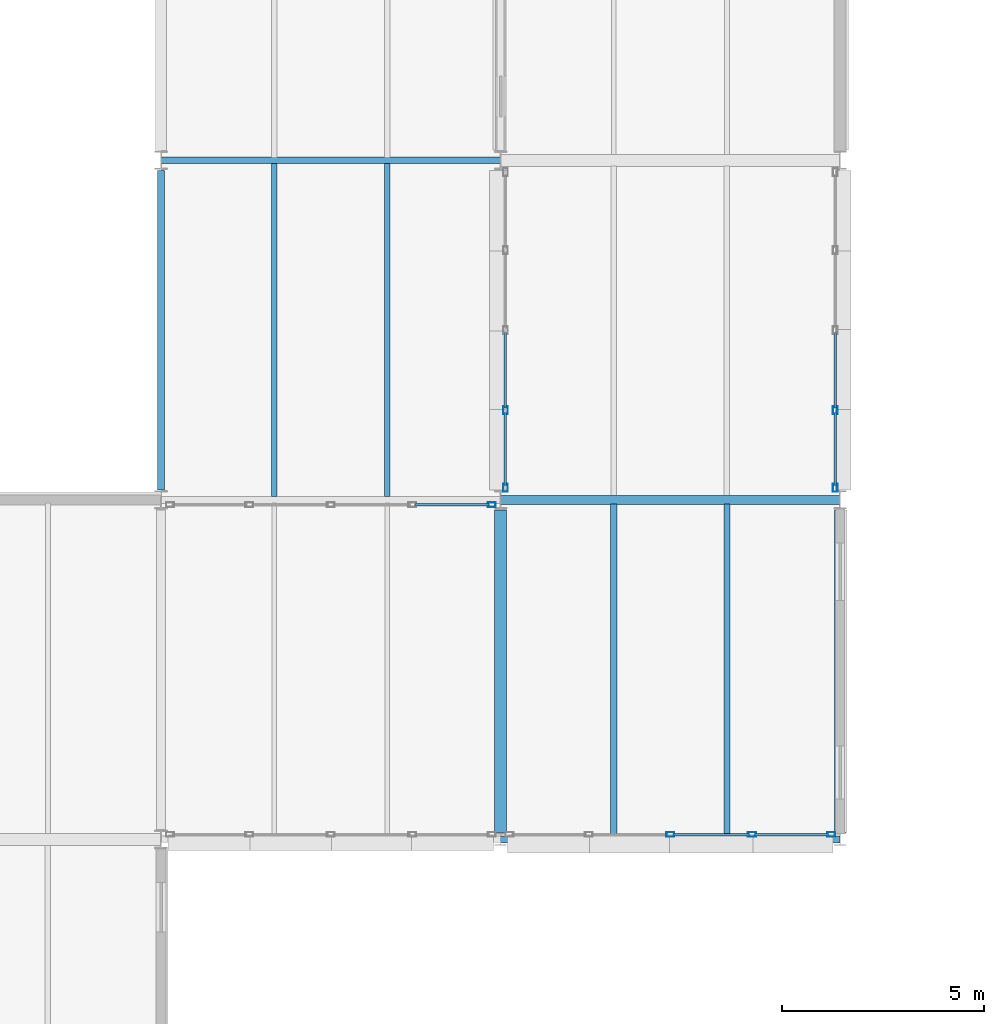
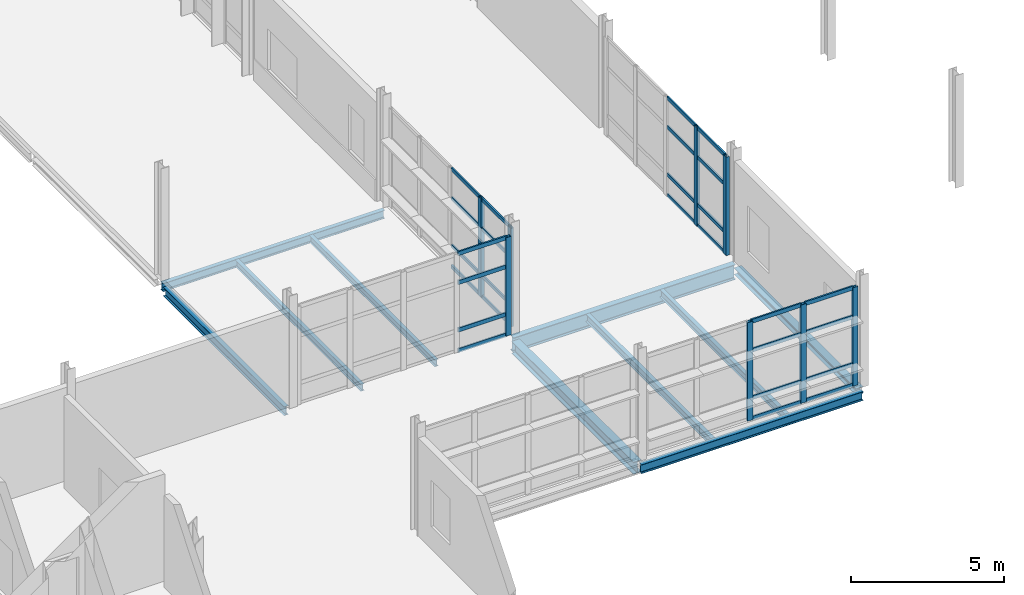
# One storey, part 38 of 129: 36 members, 10 beams, 4 elements without a shape of their own.
"""IFC4 building model written with IfcOpenShell, lengths in metres."""

from ifc_helpers import new_model, si_unit, direction, frame, origin, origin_2d, place, context, subcontext, project, spatial, hollow_rectangle, i_section, extrude, material, material_profile, profile_set, type_object, element, aggregate, save


model = new_model("IFC4")

# Units and contexts
model_context = context("Model", 3, precision=1e-05, world=origin(), true_north=direction((0.0, 1.0)))
body_context = subcontext(model_context, "Body", "Model", "MODEL_VIEW")
ifc_project = project(units=[si_unit("LENGTHUNIT", "METRE"), si_unit("AREAUNIT", "SQUARE_METRE"), si_unit("VOLUMEUNIT", "CUBIC_METRE"), si_unit("PLANEANGLEUNIT", "RADIAN"), si_unit("MASSUNIT", "GRAM", prefix="KILO")], contexts=[model_context])

# Site, building, storey
site_placement = place(None, origin())
site = spatial("IfcSite", under=ifc_project, at=site_placement, CompositionType="ELEMENT")
building_placement = place(site_placement, origin())
building = spatial("IfcBuilding", under=site, at=building_placement, Name="Mersafa Astral City Hall", CompositionType="ELEMENT")
storey_placement = place(building_placement, frame((0.0, 0.0, 5.39990234375)))
storey = spatial("IfcBuildingStorey", under=building, at=storey_placement, Name="L01", CompositionType="ELEMENT", Elevation=5.39990234375)

# Curtain wall, members
ifc_material_1 = material(Name="Anodised bronze aluminium framing", Category="aluminium")
curtain_wall_type_1 = type_object("IfcCurtainWallType", Name="ENV-CW-4", PredefinedType="USERDEFINED", material=ifc_material_1)
curtain_wall_1_placement = place(storey_placement, origin())
curtain_wall_1 = element("IfcCurtainWall", 1, at=curtain_wall_1_placement, inside=storey, type_object=curtain_wall_type_1, Name="L01 Unitised solar curtain wall 81", ObjectType="UNITISED CURTAIN WALL", PredefinedType="USERDEFINED")
ifc_material_profile_1 = material_profile(ifc_material_1, hollow_rectangle(XDim=0.1201171875, YDim=0.199951171875, WallThickness=0.008056640625, at=origin_2d()), Name="RHS 120x200x8")
ifc_profile_set_1 = profile_set([ifc_material_profile_1], Name="Anodised bronze aluminium framing")
member_type_1 = type_object("IfcMemberType", Name="ENV-CW-MUL-2", PredefinedType="MULLION", material=ifc_profile_set_1)
member_1_placement = place(storey_placement, frame((33.719970703125, 94.618408203125, -0.001953125), z_axis=(0.0, 0.0, 1.0), x_axis=(1.0, 0.0, 0.0)))
member_1 = element("IfcMember", 2, at=member_1_placement, type_object=member_type_1, Name="CW-4 mullion 4", PredefinedType="MULLION", context=body_context, shape_type="SweptSolid", body=[
    extrude(hollow_rectangle(XDim=0.1201171875, YDim=0.199951171875, WallThickness=0.008056640625, at=origin_2d()), origin(), (0.0, 0.0, 1.0), 3.948974609375),
])
member_2_placement = place(storey_placement, frame((33.719970703125, 92.697021484375, -0.001953125), z_axis=(0.0, 0.0, 1.0), x_axis=(1.0, 0.0, 0.0)))
member_2 = element("IfcMember", 3, at=member_2_placement, type_object=member_type_1, Name="CW-4 mullion 5", PredefinedType="MULLION", context=body_context, shape_type="SweptSolid", body=[
    extrude(hollow_rectangle(XDim=0.1201171875, YDim=0.199951171875, WallThickness=0.008056640625, at=origin_2d()), origin(), (0.0, 0.0, 1.0), 3.948974609375),
])

# Curtain wall, member
curtain_wall_type_2 = type_object("IfcCurtainWallType", Name="ENV-CW-5", PredefinedType="USERDEFINED", material=ifc_material_1)
curtain_wall_2_placement = place(storey_placement, origin())
curtain_wall_2 = element("IfcCurtainWall", 4, at=curtain_wall_2_placement, inside=storey, type_object=curtain_wall_type_2, Name="L01 Unitised solar curtain wall 82", ObjectType="UNITISED CURTAIN WALL", PredefinedType="USERDEFINED")
member_3_placement = place(storey_placement, frame((33.3779296875, 92.280029296875, -0.001953125), z_axis=(0.0, 0.0, 1.0), x_axis=(0.0, -1.0, 0.0)))
member_3 = element("IfcMember", 5, at=member_3_placement, type_object=member_type_1, Name="CW-5 mullion 1", PredefinedType="MULLION", context=body_context, shape_type="SweptSolid", body=[
    extrude(hollow_rectangle(XDim=0.1201171875, YDim=0.199951171875, WallThickness=0.008056640625, at=origin_2d()), origin(), (0.0, 0.0, 1.0), 3.93896484375),
])

# Curtain wall, members
curtain_wall_type_3 = type_object("IfcCurtainWallType", Name="ENV-CW-1", PredefinedType="USERDEFINED", material=ifc_material_1)
curtain_wall_3_placement = place(storey_placement, origin())
curtain_wall_3 = element("IfcCurtainWall", 6, at=curtain_wall_3_placement, inside=storey, type_object=curtain_wall_type_3, Name="L01 Unitised solar curtain wall 84", ObjectType="UNITISED CURTAIN WALL", PredefinedType="USERDEFINED")
member_4_placement = place(storey_placement, frame((37.800048828125, 84.1201171875, -0.001953125), z_axis=(0.0, 0.0, 1.0), x_axis=(0.0, 1.0, 0.0)))
member_4 = element("IfcMember", 7, at=member_4_placement, type_object=member_type_1, Name="CW-1 mullion 3", PredefinedType="MULLION", context=body_context, shape_type="SweptSolid", body=[
    extrude(hollow_rectangle(XDim=0.1201171875, YDim=0.199951171875, WallThickness=0.008056640625, at=origin_2d()), origin(), (0.0, 0.0, 1.0), 3.93896484375),
])
member_5_placement = place(storey_placement, frame((39.819091796875, 84.1201171875, -0.001953125), z_axis=(0.0, 0.0, 1.0), x_axis=(0.0, 1.0, 0.0)))
member_5 = element("IfcMember", 8, at=member_5_placement, type_object=member_type_1, Name="CW-1 mullion 4", PredefinedType="MULLION", context=body_context, shape_type="SweptSolid", body=[
    extrude(hollow_rectangle(XDim=0.1201171875, YDim=0.199951171875, WallThickness=0.008056640625, at=origin_2d()), origin(), (0.0, 0.0, 1.0), 3.93896484375),
])
member_6_placement = place(storey_placement, frame((41.778076171875, 84.1201171875, -0.001953125), z_axis=(0.0, 0.0, 1.0), x_axis=(0.0, 1.0, 0.0)))
member_6 = element("IfcMember", 9, at=member_6_placement, type_object=member_type_1, Name="CW-1 mullion 5", PredefinedType="MULLION", context=body_context, shape_type="SweptSolid", body=[
    extrude(hollow_rectangle(XDim=0.1201171875, YDim=0.199951171875, WallThickness=0.008056640625, at=origin_2d()), origin(), (0.0, 0.0, 1.0), 3.93896484375),
])

curtain_wall_type_4 = type_object("IfcCurtainWallType", Name="ENV-CW-2", PredefinedType="USERDEFINED", material=ifc_material_1)
curtain_wall_4_placement = place(storey_placement, origin())
curtain_wall_4 = element("IfcCurtainWall", 10, at=curtain_wall_4_placement, inside=storey, type_object=curtain_wall_type_4, Name="L01 Unitised solar curtain wall 85", ObjectType="UNITISED CURTAIN WALL", PredefinedType="USERDEFINED")
member_7_placement = place(storey_placement, frame((41.8798828125, 92.697021484375, -0.001953125), z_axis=(0.0, 0.0, 1.0), x_axis=(-1.0, 0.0, 0.0)))
member_7 = element("IfcMember", 11, at=member_7_placement, type_object=member_type_1, Name="CW-2 mullion 1", PredefinedType="MULLION", context=body_context, shape_type="SweptSolid", body=[
    extrude(hollow_rectangle(XDim=0.1201171875, YDim=0.199951171875, WallThickness=0.008056640625, at=origin_2d()), origin(), (0.0, 0.0, 1.0), 3.93896484375),
])
member_8_placement = place(storey_placement, frame((41.8798828125, 94.618408203125, -0.001953125), z_axis=(0.0, 0.0, 1.0), x_axis=(-1.0, 0.0, 0.0)))
member_8 = element("IfcMember", 12, at=member_8_placement, type_object=member_type_1, Name="CW-2 mullion 2", PredefinedType="MULLION", context=body_context, shape_type="SweptSolid", body=[
    extrude(hollow_rectangle(XDim=0.1201171875, YDim=0.199951171875, WallThickness=0.008056640625, at=origin_2d()), origin(), (0.0, 0.0, 1.0), 3.93896484375),
])

# Member
ifc_material_profile_2 = material_profile(ifc_material_1, hollow_rectangle(XDim=0.06005859375, YDim=0.139892578125, WallThickness=0.00390625, at=origin_2d()), Name="RHS 60x140x4")
ifc_profile_set_2 = profile_set([ifc_material_profile_2], Name="Anodised bronze aluminium framing")
member_type_2 = type_object("IfcMemberType", Name="ENV-CW-TRN-1", PredefinedType="USERDEFINED", material=ifc_profile_set_2)
member_9_placement = place(storey_placement, frame((33.719970703125, 96.5400390625, 0.028076171875), z_axis=(0.0, -1.0, 0.0), x_axis=(1.0, 0.0, 0.0)))
member_9 = element("IfcMember", 13, at=member_9_placement, type_object=member_type_2, Name="CW-4 transom 3.1", ObjectType="TRANSOM", PredefinedType="USERDEFINED", context=body_context, shape_type="SweptSolid", body=[
    extrude(hollow_rectangle(XDim=0.06005859375, YDim=0.139892578125, WallThickness=0.00390625, at=origin_2d()), origin(), (0.0, 0.0, 1.0), 1.861572265625),
])

member_10_placement = place(storey_placement, frame((33.719970703125, 96.5400390625, 0.85009765625), z_axis=(0.0, -1.0, 0.0), x_axis=(1.0, 0.0, 0.0)))
member_10 = element("IfcMember", 14, at=member_10_placement, type_object=member_type_2, Name="CW-4 transom 3.2", ObjectType="TRANSOM", PredefinedType="USERDEFINED", context=body_context, shape_type="SweptSolid", body=[
    extrude(hollow_rectangle(XDim=0.06005859375, YDim=0.139892578125, WallThickness=0.00390625, at=origin_2d()), origin(), (0.0, 0.0, 1.0), 1.861572265625),
])

member_11_placement = place(storey_placement, frame((33.719970703125, 96.5400390625, 2.75), z_axis=(0.0, -1.0, 0.0), x_axis=(1.0, 0.0, 0.0)))
member_11 = element("IfcMember", 15, at=member_11_placement, type_object=member_type_2, Name="CW-4 transom 3.3", ObjectType="TRANSOM", PredefinedType="USERDEFINED", context=body_context, shape_type="SweptSolid", body=[
    extrude(hollow_rectangle(XDim=0.06005859375, YDim=0.139892578125, WallThickness=0.00390625, at=origin_2d()), origin(), (0.0, 0.0, 1.0), 1.861572265625),
])

member_12_placement = place(storey_placement, frame((33.719970703125, 96.5400390625, 3.9169921875), z_axis=(0.0, -1.0, 0.0), x_axis=(1.0, 0.0, 0.0)))
member_12 = element("IfcMember", 16, at=member_12_placement, type_object=member_type_2, Name="CW-4 transom 3.4", ObjectType="TRANSOM", PredefinedType="USERDEFINED", context=body_context, shape_type="SweptSolid", body=[
    extrude(hollow_rectangle(XDim=0.06005859375, YDim=0.139892578125, WallThickness=0.00390625, at=origin_2d()), origin(), (0.0, 0.0, 1.0), 1.861572265625),
])

member_13_placement = place(storey_placement, frame((33.719970703125, 94.55859375, 0.028076171875), z_axis=(0.0, -1.0, 0.0), x_axis=(1.0, 0.0, 0.0)))
member_13 = element("IfcMember", 17, at=member_13_placement, type_object=member_type_2, Name="CW-4 transom 4.1", ObjectType="TRANSOM", PredefinedType="USERDEFINED", context=body_context, shape_type="SweptSolid", body=[
    extrude(hollow_rectangle(XDim=0.06005859375, YDim=0.139892578125, WallThickness=0.00390625, at=origin_2d()), origin(), (0.0, 0.0, 1.0), 1.801513671875),
])

member_14_placement = place(storey_placement, frame((33.719970703125, 94.55859375, 0.85009765625), z_axis=(0.0, -1.0, 0.0), x_axis=(1.0, 0.0, 0.0)))
member_14 = element("IfcMember", 18, at=member_14_placement, type_object=member_type_2, Name="CW-4 transom 4.2", ObjectType="TRANSOM", PredefinedType="USERDEFINED", context=body_context, shape_type="SweptSolid", body=[
    extrude(hollow_rectangle(XDim=0.06005859375, YDim=0.139892578125, WallThickness=0.00390625, at=origin_2d()), origin(), (0.0, 0.0, 1.0), 1.801513671875),
])

member_15_placement = place(storey_placement, frame((33.719970703125, 94.55859375, 2.75), z_axis=(0.0, -1.0, 0.0), x_axis=(1.0, 0.0, 0.0)))
member_15 = element("IfcMember", 19, at=member_15_placement, type_object=member_type_2, Name="CW-4 transom 4.3", ObjectType="TRANSOM", PredefinedType="USERDEFINED", context=body_context, shape_type="SweptSolid", body=[
    extrude(hollow_rectangle(XDim=0.06005859375, YDim=0.139892578125, WallThickness=0.00390625, at=origin_2d()), origin(), (0.0, 0.0, 1.0), 1.801513671875),
])

member_16_placement = place(storey_placement, frame((33.719970703125, 94.55859375, 3.9169921875), z_axis=(0.0, -1.0, 0.0), x_axis=(1.0, 0.0, 0.0)))
member_16 = element("IfcMember", 20, at=member_16_placement, type_object=member_type_2, Name="CW-4 transom 4.4", ObjectType="TRANSOM", PredefinedType="USERDEFINED", context=body_context, shape_type="SweptSolid", body=[
    extrude(hollow_rectangle(XDim=0.06005859375, YDim=0.139892578125, WallThickness=0.00390625, at=origin_2d()), origin(), (0.0, 0.0, 1.0), 1.801513671875),
])

aggregate(curtain_wall_1, [member_1, member_2, member_9, member_10, member_11, member_12, member_13, member_14, member_15, member_16])

member_17_placement = place(storey_placement, frame((41.8798828125, 92.757080078125, 0.028076171875), z_axis=(0.0, 1.0, 0.0), x_axis=(-1.0, 0.0, 0.0)))
member_17 = element("IfcMember", 21, at=member_17_placement, type_object=member_type_2, Name="CW-2 transom 1.1", ObjectType="TRANSOM", PredefinedType="USERDEFINED", context=body_context, shape_type="SweptSolid", body=[
    extrude(hollow_rectangle(XDim=0.06005859375, YDim=0.139892578125, WallThickness=0.00390625, at=origin_2d()), origin(), (0.0, 0.0, 1.0), 1.801513671875),
])

member_18_placement = place(storey_placement, frame((41.8798828125, 92.757080078125, 0.85009765625), z_axis=(0.0, 1.0, 0.0), x_axis=(-1.0, 0.0, 0.0)))
member_18 = element("IfcMember", 22, at=member_18_placement, type_object=member_type_2, Name="CW-2 transom 1.2", ObjectType="TRANSOM", PredefinedType="USERDEFINED", context=body_context, shape_type="SweptSolid", body=[
    extrude(hollow_rectangle(XDim=0.06005859375, YDim=0.139892578125, WallThickness=0.00390625, at=origin_2d()), origin(), (0.0, 0.0, 1.0), 1.801513671875),
])

member_19_placement = place(storey_placement, frame((41.8798828125, 92.757080078125, 2.75), z_axis=(0.0, 1.0, 0.0), x_axis=(-1.0, 0.0, 0.0)))
member_19 = element("IfcMember", 23, at=member_19_placement, type_object=member_type_2, Name="CW-2 transom 1.3", ObjectType="TRANSOM", PredefinedType="USERDEFINED", context=body_context, shape_type="SweptSolid", body=[
    extrude(hollow_rectangle(XDim=0.06005859375, YDim=0.139892578125, WallThickness=0.00390625, at=origin_2d()), origin(), (0.0, 0.0, 1.0), 1.801513671875),
])

member_20_placement = place(storey_placement, frame((41.8798828125, 92.757080078125, 3.906982421875), z_axis=(0.0, 1.0, 0.0), x_axis=(-1.0, 0.0, 0.0)))
member_20 = element("IfcMember", 24, at=member_20_placement, type_object=member_type_2, Name="CW-2 transom 1.4", ObjectType="TRANSOM", PredefinedType="USERDEFINED", context=body_context, shape_type="SweptSolid", body=[
    extrude(hollow_rectangle(XDim=0.06005859375, YDim=0.139892578125, WallThickness=0.00390625, at=origin_2d()), origin(), (0.0, 0.0, 1.0), 1.801513671875),
])

member_21_placement = place(storey_placement, frame((41.8798828125, 94.678466796875, 0.028076171875), z_axis=(0.0, 1.0, 0.0), x_axis=(-1.0, 0.0, 0.0)))
member_21 = element("IfcMember", 25, at=member_21_placement, type_object=member_type_2, Name="CW-2 transom 2.1", ObjectType="TRANSOM", PredefinedType="USERDEFINED", context=body_context, shape_type="SweptSolid", body=[
    extrude(hollow_rectangle(XDim=0.06005859375, YDim=0.139892578125, WallThickness=0.00390625, at=origin_2d()), origin(), (0.0, 0.0, 1.0), 1.861572265625),
])

member_22_placement = place(storey_placement, frame((41.8798828125, 94.678466796875, 0.85009765625), z_axis=(0.0, 1.0, 0.0), x_axis=(-1.0, 0.0, 0.0)))
member_22 = element("IfcMember", 26, at=member_22_placement, type_object=member_type_2, Name="CW-2 transom 2.2", ObjectType="TRANSOM", PredefinedType="USERDEFINED", context=body_context, shape_type="SweptSolid", body=[
    extrude(hollow_rectangle(XDim=0.06005859375, YDim=0.139892578125, WallThickness=0.00390625, at=origin_2d()), origin(), (0.0, 0.0, 1.0), 1.861572265625),
])

member_23_placement = place(storey_placement, frame((41.8798828125, 94.678466796875, 2.75), z_axis=(0.0, 1.0, 0.0), x_axis=(-1.0, 0.0, 0.0)))
member_23 = element("IfcMember", 27, at=member_23_placement, type_object=member_type_2, Name="CW-2 transom 2.3", ObjectType="TRANSOM", PredefinedType="USERDEFINED", context=body_context, shape_type="SweptSolid", body=[
    extrude(hollow_rectangle(XDim=0.06005859375, YDim=0.139892578125, WallThickness=0.00390625, at=origin_2d()), origin(), (0.0, 0.0, 1.0), 1.861572265625),
])

member_24_placement = place(storey_placement, frame((41.8798828125, 94.678466796875, 3.906982421875), z_axis=(0.0, 1.0, 0.0), x_axis=(-1.0, 0.0, 0.0)))
member_24 = element("IfcMember", 28, at=member_24_placement, type_object=member_type_2, Name="CW-2 transom 2.4", ObjectType="TRANSOM", PredefinedType="USERDEFINED", context=body_context, shape_type="SweptSolid", body=[
    extrude(hollow_rectangle(XDim=0.06005859375, YDim=0.139892578125, WallThickness=0.00390625, at=origin_2d()), origin(), (0.0, 0.0, 1.0), 1.861572265625),
])

aggregate(curtain_wall_4, [member_7, member_8, member_17, member_18, member_19, member_20, member_21, member_22, member_23, member_24])

ifc_material_profile_3 = material_profile(ifc_material_1, hollow_rectangle(XDim=0.06005859375, YDim=0.159912109375, WallThickness=0.00390625, at=origin_2d()), Name="RHS 60x160x4")
ifc_profile_set_3 = profile_set([ifc_material_profile_3], Name="Anodised bronze aluminium framing")
member_type_3 = type_object("IfcMemberType", Name="ENV-CW-TRN-2", PredefinedType="USERDEFINED", material=ifc_profile_set_3)
member_25_placement = place(storey_placement, frame((33.318115234375, 92.280029296875, 0.028076171875), z_axis=(-1.0, 0.0, 0.0), x_axis=(0.0, -1.0, 0.0)))
member_25 = element("IfcMember", 29, at=member_25_placement, type_object=member_type_3, Name="CW-5 transom 1.1", ObjectType="TRANSOM", PredefinedType="USERDEFINED", context=body_context, shape_type="SweptSolid", body=[
    extrude(hollow_rectangle(XDim=0.06005859375, YDim=0.159912109375, WallThickness=0.00390625, at=origin_2d()), origin(), (0.0, 0.0, 1.0), 1.839111328125),
])

member_26_placement = place(storey_placement, frame((33.318115234375, 92.280029296875, 0.85009765625), z_axis=(-1.0, 0.0, 0.0), x_axis=(0.0, -1.0, 0.0)))
member_26 = element("IfcMember", 30, at=member_26_placement, type_object=member_type_3, Name="CW-5 transom 1.2", ObjectType="TRANSOM", PredefinedType="USERDEFINED", context=body_context, shape_type="SweptSolid", body=[
    extrude(hollow_rectangle(XDim=0.06005859375, YDim=0.159912109375, WallThickness=0.00390625, at=origin_2d()), origin(), (0.0, 0.0, 1.0), 1.839111328125),
])

member_27_placement = place(storey_placement, frame((33.318115234375, 92.280029296875, 2.75), z_axis=(-1.0, 0.0, 0.0), x_axis=(0.0, -1.0, 0.0)))
member_27 = element("IfcMember", 31, at=member_27_placement, type_object=member_type_3, Name="CW-5 transom 1.3", ObjectType="TRANSOM", PredefinedType="USERDEFINED", context=body_context, shape_type="SweptSolid", body=[
    extrude(hollow_rectangle(XDim=0.06005859375, YDim=0.159912109375, WallThickness=0.00390625, at=origin_2d()), origin(), (0.0, 0.0, 1.0), 1.839111328125),
])

member_28_placement = place(storey_placement, frame((33.318115234375, 92.280029296875, 3.906982421875), z_axis=(-1.0, 0.0, 0.0), x_axis=(0.0, -1.0, 0.0)))
member_28 = element("IfcMember", 32, at=member_28_placement, type_object=member_type_3, Name="CW-5 transom 1.4", ObjectType="TRANSOM", PredefinedType="USERDEFINED", context=body_context, shape_type="SweptSolid", body=[
    extrude(hollow_rectangle(XDim=0.06005859375, YDim=0.159912109375, WallThickness=0.00390625, at=origin_2d()), origin(), (0.0, 0.0, 1.0), 1.839111328125),
])

aggregate(curtain_wall_2, [member_3, member_25, member_26, member_27, member_28])

member_29_placement = place(storey_placement, frame((37.860107421875, 84.1201171875, 0.028076171875), z_axis=(1.0, 0.0, 0.0), x_axis=(0.0, 1.0, 0.0)))
member_29 = element("IfcMember", 33, at=member_29_placement, type_object=member_type_3, Name="CW-1 transom 3.1", ObjectType="TRANSOM", PredefinedType="USERDEFINED", context=body_context, shape_type="SweptSolid", body=[
    extrude(hollow_rectangle(XDim=0.06005859375, YDim=0.159912109375, WallThickness=0.00390625, at=origin_2d()), origin(), (0.0, 0.0, 1.0), 1.89892578125),
])

member_30_placement = place(storey_placement, frame((37.860107421875, 84.1201171875, 0.85009765625), z_axis=(1.0, 0.0, 0.0), x_axis=(0.0, 1.0, 0.0)))
member_30 = element("IfcMember", 34, at=member_30_placement, type_object=member_type_3, Name="CW-1 transom 3.2", ObjectType="TRANSOM", PredefinedType="USERDEFINED", context=body_context, shape_type="SweptSolid", body=[
    extrude(hollow_rectangle(XDim=0.06005859375, YDim=0.159912109375, WallThickness=0.00390625, at=origin_2d()), origin(), (0.0, 0.0, 1.0), 1.89892578125),
])

member_31_placement = place(storey_placement, frame((37.860107421875, 84.1201171875, 2.75), z_axis=(1.0, 0.0, 0.0), x_axis=(0.0, 1.0, 0.0)))
member_31 = element("IfcMember", 35, at=member_31_placement, type_object=member_type_3, Name="CW-1 transom 3.3", ObjectType="TRANSOM", PredefinedType="USERDEFINED", context=body_context, shape_type="SweptSolid", body=[
    extrude(hollow_rectangle(XDim=0.06005859375, YDim=0.159912109375, WallThickness=0.00390625, at=origin_2d()), origin(), (0.0, 0.0, 1.0), 1.89892578125),
])

member_32_placement = place(storey_placement, frame((37.860107421875, 84.1201171875, 3.906982421875), z_axis=(1.0, 0.0, 0.0), x_axis=(0.0, 1.0, 0.0)))
member_32 = element("IfcMember", 36, at=member_32_placement, type_object=member_type_3, Name="CW-1 transom 3.4", ObjectType="TRANSOM", PredefinedType="USERDEFINED", context=body_context, shape_type="SweptSolid", body=[
    extrude(hollow_rectangle(XDim=0.06005859375, YDim=0.159912109375, WallThickness=0.00390625, at=origin_2d()), origin(), (0.0, 0.0, 1.0), 1.89892578125),
])

member_33_placement = place(storey_placement, frame((39.87890625, 84.1201171875, 0.028076171875), z_axis=(1.0, 0.0, 0.0), x_axis=(0.0, 1.0, 0.0)))
member_33 = element("IfcMember", 37, at=member_33_placement, type_object=member_type_3, Name="CW-1 transom 4.1", ObjectType="TRANSOM", PredefinedType="USERDEFINED", context=body_context, shape_type="SweptSolid", body=[
    extrude(hollow_rectangle(XDim=0.06005859375, YDim=0.159912109375, WallThickness=0.00390625, at=origin_2d()), origin(), (0.0, 0.0, 1.0), 1.839111328125),
])

member_34_placement = place(storey_placement, frame((39.87890625, 84.1201171875, 0.85009765625), z_axis=(1.0, 0.0, 0.0), x_axis=(0.0, 1.0, 0.0)))
member_34 = element("IfcMember", 38, at=member_34_placement, type_object=member_type_3, Name="CW-1 transom 4.2", ObjectType="TRANSOM", PredefinedType="USERDEFINED", context=body_context, shape_type="SweptSolid", body=[
    extrude(hollow_rectangle(XDim=0.06005859375, YDim=0.159912109375, WallThickness=0.00390625, at=origin_2d()), origin(), (0.0, 0.0, 1.0), 1.839111328125),
])

member_35_placement = place(storey_placement, frame((39.87890625, 84.1201171875, 2.75), z_axis=(1.0, 0.0, 0.0), x_axis=(0.0, 1.0, 0.0)))
member_35 = element("IfcMember", 39, at=member_35_placement, type_object=member_type_3, Name="CW-1 transom 4.3", ObjectType="TRANSOM", PredefinedType="USERDEFINED", context=body_context, shape_type="SweptSolid", body=[
    extrude(hollow_rectangle(XDim=0.06005859375, YDim=0.159912109375, WallThickness=0.00390625, at=origin_2d()), origin(), (0.0, 0.0, 1.0), 1.839111328125),
])

member_36_placement = place(storey_placement, frame((39.87890625, 84.1201171875, 3.906982421875), z_axis=(1.0, 0.0, 0.0), x_axis=(0.0, 1.0, 0.0)))
member_36 = element("IfcMember", 40, at=member_36_placement, type_object=member_type_3, Name="CW-1 transom 4.4", ObjectType="TRANSOM", PredefinedType="USERDEFINED", context=body_context, shape_type="SweptSolid", body=[
    extrude(hollow_rectangle(XDim=0.06005859375, YDim=0.159912109375, WallThickness=0.00390625, at=origin_2d()), origin(), (0.0, 0.0, 1.0), 1.839111328125),
])

aggregate(curtain_wall_3, [member_4, member_5, member_6, member_29, member_30, member_31, member_32, member_33, member_34, member_35, member_36])

# Beams
ifc_material_2 = material(Name="Steel S355", Category="steel")
ifc_material_profile_4 = material_profile(ifc_material_2, i_section(OverallWidth=0.300048828125, OverallDepth=0.489990234375, WebThickness=0.011962890625, FlangeThickness=0.02294921875, FilletRadius=0.027099609375, at=origin_2d()), Name="HEA 500")
ifc_profile_set_4 = profile_set([ifc_material_profile_4], Name="Steel S355")
beam_type_1 = type_object("IfcBeamType", Name="STR-BM-HEA500", PredefinedType="BEAM", material=ifc_profile_set_4)
beam_1_placement = place(storey_placement, frame((33.60009765625, 84.175048828125, -0.469970703125), z_axis=(0.0, 1.0, 0.0), x_axis=(-1.0, 0.0, 0.0)))
element("IfcBeam", 41, at=beam_1_placement, inside=storey, type_object=beam_type_1, Name="L01 Primary girder Y 4-10", PredefinedType="BEAM", context=body_context, shape_type="SweptSolid", body=[
    extrude(i_section(OverallWidth=0.300048828125, OverallDepth=0.489990234375, WebThickness=0.011962890625, FlangeThickness=0.02294921875, FilletRadius=0.027099609375, at=origin_2d()), origin(), (0.0, 0.0, 1.0), 7.97998046875),
])
ifc_material_profile_5 = material_profile(ifc_material_2, i_section(OverallWidth=0.219970703125, OverallDepth=0.60009765625, WebThickness=0.011962890625, FlangeThickness=0.01904296875, FilletRadius=0.02392578125, at=origin_2d()), Name="IPE 600")
ifc_profile_set_5 = profile_set([ifc_material_profile_5], Name="Steel S355")
beam_type_2 = type_object("IfcBeamType", Name="STR-BM-IPE600", PredefinedType="BEAM", material=ifc_profile_set_5)
beam_2_placement = place(storey_placement, frame((33.60302734375, 92.39990234375, -0.52490234375), z_axis=(1.0, 0.0, 0.0), x_axis=(0.0, 1.0, 0.0)))
element("IfcBeam", 42, at=beam_2_placement, inside=storey, type_object=beam_type_2, Name="L01 Primary girder X 4-11", PredefinedType="BEAM", context=body_context, shape_type="SweptSolid", body=[
    extrude(i_section(OverallWidth=0.219970703125, OverallDepth=0.60009765625, WebThickness=0.011962890625, FlangeThickness=0.01904296875, FilletRadius=0.02392578125, at=origin_2d()), origin(), (0.0, 0.0, 1.0), 8.39404296875),
])
ifc_material_profile_6 = material_profile(ifc_material_2, i_section(OverallWidth=0.135009765625, OverallDepth=0.27001953125, WebThickness=0.006591796875, FlangeThickness=0.01025390625, FilletRadius=0.014892578125, at=origin_2d()), Name="IPE 270")
ifc_profile_set_6 = profile_set([ifc_material_profile_6], Name="Steel S355")
beam_type_3 = type_object("IfcBeamType", Name="STR-BM-JOIST-IPE270", PredefinedType="JOIST", material=ifc_profile_set_6)
for number, where, z_axis, x_axis, name in (
    (43, (28.0, 92.47998046875, -0.35986328125), (0.0, 1.0, 0.0), (-1.0, 0.0, 0.0), "L01 Flat roof secondary joist 19"),
    (44, (30.800048828125, 92.47998046875, -0.35986328125), (0.0, 1.0, 0.0), (-1.0, 0.0, 0.0), "L01 Flat roof secondary joist 20"),
):
    element("IfcBeam", number, at=place(storey_placement, frame(where, z_axis=z_axis, x_axis=x_axis)), inside=storey, type_object=beam_type_3, Name=name, PredefinedType="JOIST", context=body_context, shape_type="SweptSolid", body=[
        extrude(i_section(OverallWidth=0.135009765625, OverallDepth=0.27001953125, WebThickness=0.006591796875, FlangeThickness=0.01025390625, FilletRadius=0.014892578125, at=origin_2d()), origin(), (0.0, 0.0, 1.0), 8.2451171875),
    ])
ifc_material_profile_7 = material_profile(ifc_material_2, i_section(OverallWidth=0.14990234375, OverallDepth=0.300048828125, WebThickness=0.007080078125, FlangeThickness=0.0107421875, FilletRadius=0.014892578125, at=origin_2d()), Name="IPE 300")
ifc_profile_set_7 = profile_set([ifc_material_profile_7], Name="Steel S355")
beam_type_4 = type_object("IfcBeamType", Name="STR-BM-JOIST-IPE300", PredefinedType="JOIST", material=ifc_profile_set_7)
for number, where, z_axis, x_axis, name in (
    (45, (36.39990234375, 84.080078125, -0.375), (0.0, 1.0, 0.0), (-1.0, 0.0, 0.0), "L01 Composite secondary floor joist 232"),
    (46, (39.199951171875, 84.080078125, -0.375), (0.0, 1.0, 0.0), (-1.0, 0.0, 0.0), "L01 Composite secondary floor joist 233"),
):
    element("IfcBeam", number, at=place(storey_placement, frame(where, z_axis=z_axis, x_axis=x_axis)), inside=storey, type_object=beam_type_4, Name=name, PredefinedType="JOIST", context=body_context, shape_type="SweptSolid", body=[
        extrude(i_section(OverallWidth=0.14990234375, OverallDepth=0.300048828125, WebThickness=0.007080078125, FlangeThickness=0.0107421875, FilletRadius=0.014892578125, at=origin_2d()), origin(), (0.0, 0.0, 1.0), 8.21484375),
    ])
ifc_material_profile_8 = material_profile(ifc_material_2, i_section(OverallWidth=0.280029296875, OverallDepth=0.27001953125, WebThickness=0.008056640625, FlangeThickness=0.012939453125, FilletRadius=0.02392578125, at=origin_2d()), Name="HEA 280")
ifc_profile_set_8 = profile_set([ifc_material_profile_8], Name="Steel S355")
beam_type_5 = type_object("IfcBeamType", Name="STR-BM-SPANDREL-HEA280", PredefinedType="SPANDREL", material=ifc_profile_set_8)
beam_3_placement = place(storey_placement, frame((42.0, 84.1650390625, -0.35986328125), z_axis=(0.0, 1.0, 0.0), x_axis=(-1.0, 0.0, 0.0)))
element("IfcBeam", 47, at=beam_3_placement, inside=storey, type_object=beam_type_5, Name="L01 Primary girder Y 5-10", PredefinedType="SPANDREL", context=body_context, shape_type="SweptSolid", body=[
    extrude(i_section(OverallWidth=0.280029296875, OverallDepth=0.27001953125, WebThickness=0.008056640625, FlangeThickness=0.012939453125, FilletRadius=0.02392578125, at=origin_2d()), origin(), (0.0, 0.0, 1.0), 7.989990234375),
])
ifc_material_profile_9 = material_profile(ifc_material_2, i_section(OverallWidth=0.159912109375, OverallDepth=0.330078125, WebThickness=0.007568359375, FlangeThickness=0.011474609375, FilletRadius=0.01806640625, at=origin_2d()), Name="IPE 330")
ifc_profile_set_9 = profile_set([ifc_material_profile_9], Name="Steel S355")
beam_type_6 = type_object("IfcBeamType", Name="STR-BM-SPANDREL-IPE330", PredefinedType="SPANDREL", material=ifc_profile_set_9)
beam_4_placement = place(storey_placement, frame((25.202880859375, 100.800048828125, -0.389892578125), z_axis=(1.0, 0.0, 0.0), x_axis=(0.0, 1.0, 0.0)))
element("IfcBeam", 48, at=beam_4_placement, inside=storey, type_object=beam_type_6, Name="L01 Primary girder X 3-12", PredefinedType="SPANDREL", context=body_context, shape_type="SweptSolid", body=[
    extrude(i_section(OverallWidth=0.159912109375, OverallDepth=0.330078125, WebThickness=0.007568359375, FlangeThickness=0.011474609375, FilletRadius=0.01806640625, at=origin_2d()), origin(), (0.0, 0.0, 1.0), 8.39404296875),
])
ifc_material_profile_10 = material_profile(ifc_material_2, i_section(OverallWidth=0.169921875, OverallDepth=0.360107421875, WebThickness=0.008056640625, FlangeThickness=0.0126953125, FilletRadius=0.01806640625, at=origin_2d()), Name="IPE 360")
ifc_profile_set_10 = profile_set([ifc_material_profile_10], Name="Steel S355")
beam_type_7 = type_object("IfcBeamType", Name="STR-BM-SPANDREL-IPE360", PredefinedType="SPANDREL", material=ifc_profile_set_10)
beam_5_placement = place(storey_placement, frame((33.60302734375, 84.0, -0.40478515625), z_axis=(1.0, 0.0, 0.0), x_axis=(0.0, 1.0, 0.0)))
element("IfcBeam", 49, at=beam_5_placement, inside=storey, type_object=beam_type_7, Name="L01 Primary girder X 4-10", PredefinedType="SPANDREL", context=body_context, shape_type="SweptSolid", body=[
    extrude(i_section(OverallWidth=0.169921875, OverallDepth=0.360107421875, WebThickness=0.008056640625, FlangeThickness=0.0126953125, FilletRadius=0.01806640625, at=origin_2d()), origin(), (0.0, 0.0, 1.0), 8.39404296875),
])
beam_6_placement = place(storey_placement, frame((25.199951171875, 92.64501953125, -0.40478515625), z_axis=(0.0, 1.0, 0.0), x_axis=(-1.0, 0.0, 0.0)))
element("IfcBeam", 50, at=beam_6_placement, inside=storey, type_object=beam_type_7, Name="L01 Primary girder Y 3-11", PredefinedType="SPANDREL", context=body_context, shape_type="SweptSolid", body=[
    extrude(i_section(OverallWidth=0.169921875, OverallDepth=0.360107421875, WebThickness=0.008056640625, FlangeThickness=0.0126953125, FilletRadius=0.01806640625, at=origin_2d()), origin(), (0.0, 0.0, 1.0), 7.909912109375),
])

save(model, "model.ifc")
